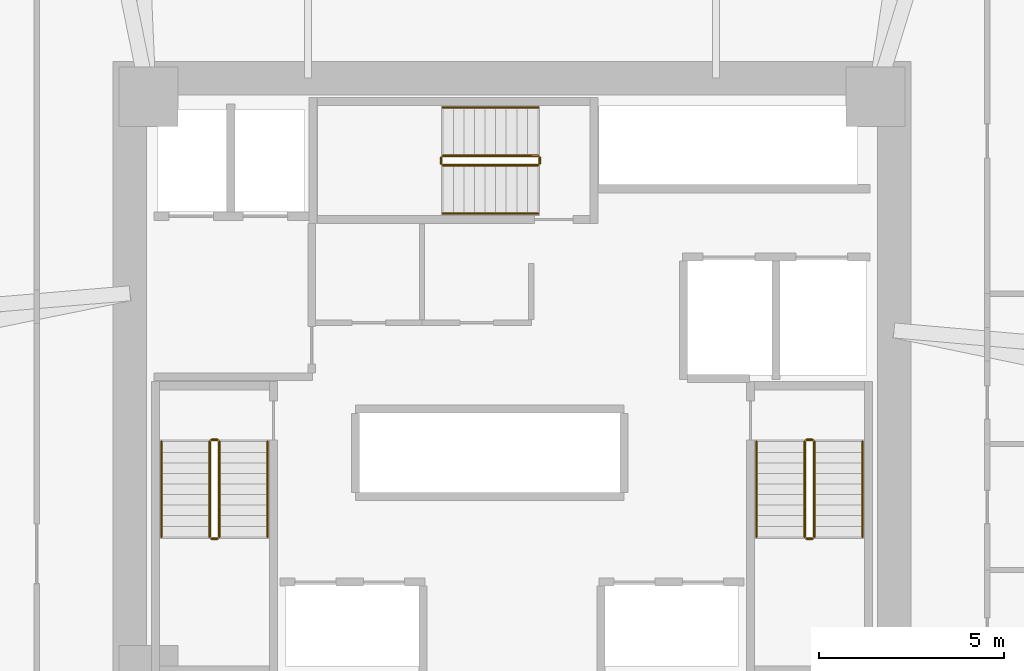
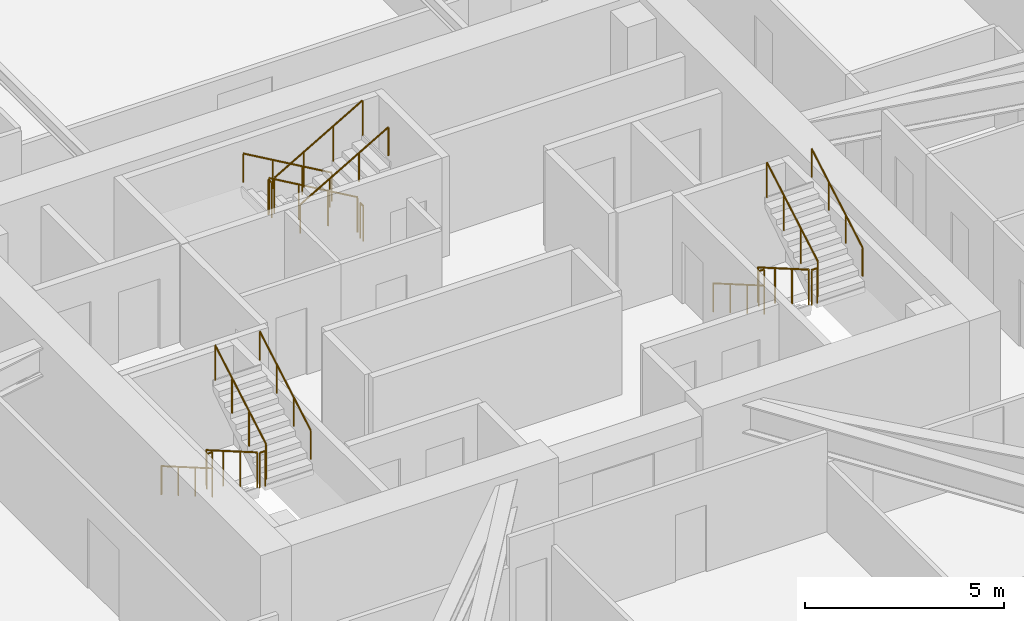
# One storey, part 15 of 15: 18 railings.
"""IFC4 building model written with IfcOpenShell, lengths in metres."""

from ifc_helpers import new_model, si_unit, direction, frame, origin, origin_2d, place, context, subcontext, project, spatial, circle, extrude, material, type_object, element, save


model = new_model("IFC4")

# Units and contexts
model_context = context("Model", 3, precision=1e-05, world=origin(), true_north=direction((0.0, 1.0)))
body_context = subcontext(model_context, "Body", "Model", "MODEL_VIEW")
ifc_project = project(units=[si_unit("LENGTHUNIT", "METRE"), si_unit("AREAUNIT", "SQUARE_METRE"), si_unit("VOLUMEUNIT", "CUBIC_METRE"), si_unit("PLANEANGLEUNIT", "RADIAN"), si_unit("MASSUNIT", "GRAM", prefix="KILO")], contexts=[model_context])

# Site, building, storey
site_placement = place(None, origin())
site = spatial("IfcSite", under=ifc_project, at=site_placement, CompositionType="ELEMENT")
building_placement = place(site_placement, origin())
building = spatial("IfcBuilding", under=site, at=building_placement, Name="Durnholm Broadcast Tower", CompositionType="ELEMENT")
storey_placement = place(building_placement, frame((0.0, 0.0, 62.10009765625)))
storey = spatial("IfcBuildingStorey", under=building, at=storey_placement, Name="L15", CompositionType="ELEMENT", Elevation=62.10009765625)

# Railings
ifc_material_1 = material(Name="Painted Tubular Steel Stair Guardrail", Category="steel")
railing_type_1 = type_object("IfcRailingType", Name="RAIL-ST-GRD", PredefinedType="GUARDRAIL", material=ifc_material_1)
railing_1_placement = place(storey_placement, frame((-8.14990234375, -1.5, 0.164794921875)))
element("IfcRailing", 1, at=railing_1_placement, inside=storey, type_object=railing_type_1, Name="L15 ST-1 stair guard 1", PredefinedType="GUARDRAIL", context=body_context, shape_type="SweptSolid", body=[
    extrude(circle(Radius=0.02392578125, at=origin_2d()), frame((0.0, 0.0, 1.076171875), z_axis=(0.0, -0.865405606168, 0.501071987656), x_axis=(1.0, 0.0, 0.0)), (0.0, 0.0, 1.0), 2.9638671875),
    extrude(circle(Radius=0.02099609375, at=origin_2d()), origin(), (0.0, 0.0, 1.0), 1.052001953125),
    extrude(circle(Radius=0.02099609375, at=origin_2d()), frame((0.0, -0.85498046875, 0.4951171875)), (0.0, 0.0, 1.0), 1.052001953125),
    extrude(circle(Radius=0.02099609375, at=origin_2d()), frame((0.0, -1.7099609375, 0.989990234375)), (0.0, 0.0, 1.0), 1.052001953125),
    extrude(circle(Radius=0.02099609375, at=origin_2d()), frame((0.0, -2.56494140625, 1.485107421875)), (0.0, 0.0, 1.0), 1.052001953125),
])
railing_2_placement = place(storey_placement, frame((-8.10009765625, -4.114990234375, 1.64990234375)))
element("IfcRailing", 2, at=railing_2_placement, inside=storey, type_object=railing_type_1, Name="L15 ST-1 stair guard 2", PredefinedType="GUARDRAIL", context=body_context, shape_type="SweptSolid", body=[
    extrude(circle(Radius=0.02392578125, at=origin_2d()), frame((0.0, 0.0, 1.076171875), z_axis=(1.0, 0.0, 0.0), x_axis=(0.0, 1.0, 0.0)), (0.0, 0.0, 1.0), 0.16015625),
    extrude(circle(Radius=0.02099609375, at=origin_2d()), origin(), (0.0, 0.0, 1.0), 1.052001953125),
    extrude(circle(Radius=0.02099609375, at=origin_2d()), frame((0.16015625, 0.0, 0.0)), (0.0, 0.0, 1.0), 1.052001953125),
])
railing_3_placement = place(storey_placement, frame((-7.889892578125, -4.06494140625, 1.81494140625)))
element("IfcRailing", 3, at=railing_3_placement, inside=storey, type_object=railing_type_1, Name="L15 ST-1 stair guard 3", PredefinedType="GUARDRAIL", context=body_context, shape_type="SweptSolid", body=[
    extrude(circle(Radius=0.02392578125, at=origin_2d()), frame((0.0, 0.0, 1.076171875), z_axis=(0.0, 0.865441324677, 0.50101029285), x_axis=(-1.0, 0.0, 0.0)), (0.0, 0.0, 1.0), 2.963623046875),
    extrude(circle(Radius=0.02099609375, at=origin_2d()), origin(), (0.0, 0.0, 1.0), 1.052001953125),
    extrude(circle(Radius=0.02099609375, at=origin_2d()), frame((0.0, 0.85498046875, 0.494873046875)), (0.0, 0.0, 1.0), 1.052001953125),
    extrude(circle(Radius=0.02099609375, at=origin_2d()), frame((0.0, 1.7099609375, 0.989990234375)), (0.0, 0.0, 1.0), 1.052001953125),
    extrude(circle(Radius=0.02099609375, at=origin_2d()), frame((0.0, 2.56494140625, 1.48486328125)), (0.0, 0.0, 1.0), 1.052001953125),
])
railing_4_placement = place(storey_placement, frame((-8.10009765625, -1.449951171875, 0.0)))
element("IfcRailing", 4, at=railing_4_placement, inside=storey, type_object=railing_type_1, Name="L15 ST-1 stair guard 4", PredefinedType="GUARDRAIL", context=body_context, shape_type="SweptSolid", body=[
    extrude(circle(Radius=0.02392578125, at=origin_2d()), frame((0.0, 0.0, 1.076171875), z_axis=(1.0, 0.0, 0.0), x_axis=(0.0, 1.0, 0.0)), (0.0, 0.0, 1.0), 0.16015625),
    extrude(circle(Radius=0.02099609375, at=origin_2d()), origin(), (0.0, 0.0, 1.0), 1.052001953125),
    extrude(circle(Radius=0.02099609375, at=origin_2d()), frame((0.16015625, 0.0, 0.0)), (0.0, 0.0, 1.0), 1.052001953125),
])
railing_5_placement = place(storey_placement, frame((7.889892578125, -1.5, 0.164794921875)))
element("IfcRailing", 5, at=railing_5_placement, inside=storey, type_object=railing_type_1, Name="L15 ST-2 stair guard 1", PredefinedType="GUARDRAIL", context=body_context, shape_type="SweptSolid", body=[
    extrude(circle(Radius=0.02392578125, at=origin_2d()), frame((0.0, 0.0, 1.076171875), z_axis=(0.0, -0.865405606168, 0.501071987656), x_axis=(1.0, 0.0, 0.0)), (0.0, 0.0, 1.0), 2.9638671875),
    extrude(circle(Radius=0.02099609375, at=origin_2d()), origin(), (0.0, 0.0, 1.0), 1.052001953125),
    extrude(circle(Radius=0.02099609375, at=origin_2d()), frame((0.0, -0.85498046875, 0.4951171875)), (0.0, 0.0, 1.0), 1.052001953125),
    extrude(circle(Radius=0.02099609375, at=origin_2d()), frame((0.0, -1.7099609375, 0.989990234375)), (0.0, 0.0, 1.0), 1.052001953125),
    extrude(circle(Radius=0.02099609375, at=origin_2d()), frame((0.0, -2.56494140625, 1.485107421875)), (0.0, 0.0, 1.0), 1.052001953125),
])
railing_6_placement = place(storey_placement, frame((7.93994140625, -4.114990234375, 1.64990234375)))
element("IfcRailing", 6, at=railing_6_placement, inside=storey, type_object=railing_type_1, Name="L15 ST-2 stair guard 2", PredefinedType="GUARDRAIL", context=body_context, shape_type="SweptSolid", body=[
    extrude(circle(Radius=0.02392578125, at=origin_2d()), frame((0.0, 0.0, 1.076171875), z_axis=(1.0, 0.0, 0.0), x_axis=(0.0, 1.0, 0.0)), (0.0, 0.0, 1.0), 0.16015625),
    extrude(circle(Radius=0.02099609375, at=origin_2d()), origin(), (0.0, 0.0, 1.0), 1.052001953125),
    extrude(circle(Radius=0.02099609375, at=origin_2d()), frame((0.16015625, 0.0, 0.0)), (0.0, 0.0, 1.0), 1.052001953125),
])
railing_7_placement = place(storey_placement, frame((8.14990234375, -4.06494140625, 1.81494140625)))
element("IfcRailing", 7, at=railing_7_placement, inside=storey, type_object=railing_type_1, Name="L15 ST-2 stair guard 3", PredefinedType="GUARDRAIL", context=body_context, shape_type="SweptSolid", body=[
    extrude(circle(Radius=0.02392578125, at=origin_2d()), frame((0.0, 0.0, 1.076171875), z_axis=(0.0, 0.865441324677, 0.50101029285), x_axis=(-1.0, 0.0, 0.0)), (0.0, 0.0, 1.0), 2.963623046875),
    extrude(circle(Radius=0.02099609375, at=origin_2d()), origin(), (0.0, 0.0, 1.0), 1.052001953125),
    extrude(circle(Radius=0.02099609375, at=origin_2d()), frame((0.0, 0.85498046875, 0.494873046875)), (0.0, 0.0, 1.0), 1.052001953125),
    extrude(circle(Radius=0.02099609375, at=origin_2d()), frame((0.0, 1.7099609375, 0.989990234375)), (0.0, 0.0, 1.0), 1.052001953125),
    extrude(circle(Radius=0.02099609375, at=origin_2d()), frame((0.0, 2.56494140625, 1.48486328125)), (0.0, 0.0, 1.0), 1.052001953125),
])
railing_8_placement = place(storey_placement, frame((7.93994140625, -1.449951171875, 0.0)))
element("IfcRailing", 8, at=railing_8_placement, inside=storey, type_object=railing_type_1, Name="L15 ST-2 stair guard 4", PredefinedType="GUARDRAIL", context=body_context, shape_type="SweptSolid", body=[
    extrude(circle(Radius=0.02392578125, at=origin_2d()), frame((0.0, 0.0, 1.076171875), z_axis=(1.0, 0.0, 0.0), x_axis=(0.0, 1.0, 0.0)), (0.0, 0.0, 1.0), 0.16015625),
    extrude(circle(Radius=0.02099609375, at=origin_2d()), origin(), (0.0, 0.0, 1.0), 1.052001953125),
    extrude(circle(Radius=0.02099609375, at=origin_2d()), frame((0.16015625, 0.0, 0.0)), (0.0, 0.0, 1.0), 1.052001953125),
])
railing_9_placement = place(storey_placement, frame((0.699951171875, 6.2099609375, 0.164794921875)))
element("IfcRailing", 9, at=railing_9_placement, inside=storey, type_object=railing_type_1, Name="L15 ST-3 stair guard 1", PredefinedType="GUARDRAIL", context=body_context, shape_type="SweptSolid", body=[
    extrude(circle(Radius=0.02392578125, at=origin_2d()), frame((0.0, 0.0, 1.076171875), z_axis=(-0.865405606168, 0.0, 0.501071987656), x_axis=(0.0, -1.0, 0.0)), (0.0, 0.0, 1.0), 2.9638671875),
    extrude(circle(Radius=0.02099609375, at=origin_2d()), origin(), (0.0, 0.0, 1.0), 1.052001953125),
    extrude(circle(Radius=0.02099609375, at=origin_2d()), frame((-0.85498046875, 0.0, 0.4951171875)), (0.0, 0.0, 1.0), 1.052001953125),
    extrude(circle(Radius=0.02099609375, at=origin_2d()), frame((-1.7099609375, 0.0, 0.989990234375)), (0.0, 0.0, 1.0), 1.052001953125),
    extrude(circle(Radius=0.02099609375, at=origin_2d()), frame((-2.56494140625, 0.0, 1.485107421875)), (0.0, 0.0, 1.0), 1.052001953125),
])
railing_10_placement = place(storey_placement, frame((-1.9150390625, 6.159912109375, 1.64990234375)))
element("IfcRailing", 10, at=railing_10_placement, inside=storey, type_object=railing_type_1, Name="L15 ST-3 stair guard 2", PredefinedType="GUARDRAIL", context=body_context, shape_type="SweptSolid", body=[
    extrude(circle(Radius=0.02392578125, at=origin_2d()), frame((0.0, 0.0, 1.076171875), z_axis=(0.0, -1.0, 0.0), x_axis=(1.0, 0.0, 0.0)), (0.0, 0.0, 1.0), 0.159912109375),
    extrude(circle(Radius=0.02099609375, at=origin_2d()), origin(), (0.0, 0.0, 1.0), 1.052001953125),
    extrude(circle(Radius=0.02099609375, at=origin_2d()), frame((0.0, -0.159912109375, 0.0)), (0.0, 0.0, 1.0), 1.052001953125),
])
railing_11_placement = place(storey_placement, frame((-1.864990234375, 5.949951171875, 1.81494140625)))
element("IfcRailing", 11, at=railing_11_placement, inside=storey, type_object=railing_type_1, Name="L15 ST-3 stair guard 3", PredefinedType="GUARDRAIL", context=body_context, shape_type="SweptSolid", body=[
    extrude(circle(Radius=0.02392578125, at=origin_2d()), frame((0.0, 0.0, 1.076171875), z_axis=(0.865441324677, 0.0, 0.50101029285), x_axis=(0.0, 1.0, 0.0)), (0.0, 0.0, 1.0), 2.963623046875),
    extrude(circle(Radius=0.02099609375, at=origin_2d()), origin(), (0.0, 0.0, 1.0), 1.052001953125),
    extrude(circle(Radius=0.02099609375, at=origin_2d()), frame((0.85498046875, 0.0, 0.494873046875)), (0.0, 0.0, 1.0), 1.052001953125),
    extrude(circle(Radius=0.02099609375, at=origin_2d()), frame((1.7099609375, 0.0, 0.989990234375)), (0.0, 0.0, 1.0), 1.052001953125),
    extrude(circle(Radius=0.02099609375, at=origin_2d()), frame((2.56494140625, 0.0, 1.48486328125)), (0.0, 0.0, 1.0), 1.052001953125),
])
railing_12_placement = place(storey_placement, frame((0.75, 6.159912109375, 0.0)))
element("IfcRailing", 12, at=railing_12_placement, inside=storey, type_object=railing_type_1, Name="L15 ST-3 stair guard 4", PredefinedType="GUARDRAIL", context=body_context, shape_type="SweptSolid", body=[
    extrude(circle(Radius=0.02392578125, at=origin_2d()), frame((0.0, 0.0, 1.076171875), z_axis=(0.0, -1.0, 0.0), x_axis=(1.0, 0.0, 0.0)), (0.0, 0.0, 1.0), 0.159912109375),
    extrude(circle(Radius=0.02099609375, at=origin_2d()), origin(), (0.0, 0.0, 1.0), 1.052001953125),
    extrude(circle(Radius=0.02099609375, at=origin_2d()), frame((0.0, -0.159912109375, 0.0)), (0.0, 0.0, 1.0), 1.052001953125),
])
ifc_material_2 = material(Name="Brushed Stainless Steel Handrail", Category="steel")
railing_type_2 = type_object("IfcRailingType", Name="RAIL-ST-HND", PredefinedType="HANDRAIL", material=ifc_material_2)
railing_13_placement = place(storey_placement, frame((-9.449951171875, -1.5, 0.329833984375)))
element("IfcRailing", 13, at=railing_13_placement, inside=storey, type_object=railing_type_2, Name="L15 ST-1 stair handrail 1", PredefinedType="HANDRAIL", context=body_context, shape_type="SweptSolid", body=[
    extrude(circle(Radius=0.02392578125, at=origin_2d()), frame((0.0, 0.0, 0.8759765625), z_axis=(0.0, -0.865405606168, 0.501071987656), x_axis=(1.0, 0.0, 0.0)), (0.0, 0.0, 1.0), 2.9638671875),
    extrude(circle(Radius=0.02099609375, at=origin_2d()), origin(), (0.0, 0.0, 1.0), 0.851806640625),
    extrude(circle(Radius=0.02099609375, at=origin_2d()), frame((0.0, -0.85498046875, 0.4951171875)), (0.0, 0.0, 1.0), 0.851806640625),
    extrude(circle(Radius=0.02099609375, at=origin_2d()), frame((0.0, -1.7099609375, 0.989990234375)), (0.0, 0.0, 1.0), 0.851806640625),
    extrude(circle(Radius=0.02099609375, at=origin_2d()), frame((0.0, -2.56494140625, 1.485107421875)), (0.0, 0.0, 1.0), 0.851806640625),
])
railing_14_placement = place(storey_placement, frame((-6.590087890625, -4.06494140625, 1.97998046875)))
element("IfcRailing", 14, at=railing_14_placement, inside=storey, type_object=railing_type_2, Name="L15 ST-1 stair handrail 2", PredefinedType="HANDRAIL", context=body_context, shape_type="SweptSolid", body=[
    extrude(circle(Radius=0.02392578125, at=origin_2d()), frame((0.0, 0.0, 0.8759765625), z_axis=(0.0, 0.865441324677, 0.50101029285), x_axis=(-1.0, 0.0, 0.0)), (0.0, 0.0, 1.0), 2.963623046875),
    extrude(circle(Radius=0.02099609375, at=origin_2d()), origin(), (0.0, 0.0, 1.0), 0.851806640625),
    extrude(circle(Radius=0.02099609375, at=origin_2d()), frame((0.0, 0.85498046875, 0.494873046875)), (0.0, 0.0, 1.0), 0.851806640625),
    extrude(circle(Radius=0.02099609375, at=origin_2d()), frame((0.0, 1.7099609375, 0.989990234375)), (0.0, 0.0, 1.0), 0.851806640625),
    extrude(circle(Radius=0.02099609375, at=origin_2d()), frame((0.0, 2.56494140625, 1.48486328125)), (0.0, 0.0, 1.0), 0.851806640625),
])
railing_15_placement = place(storey_placement, frame((6.590087890625, -1.5, 0.329833984375)))
element("IfcRailing", 15, at=railing_15_placement, inside=storey, type_object=railing_type_2, Name="L15 ST-2 stair handrail 1", PredefinedType="HANDRAIL", context=body_context, shape_type="SweptSolid", body=[
    extrude(circle(Radius=0.02392578125, at=origin_2d()), frame((0.0, 0.0, 0.8759765625), z_axis=(0.0, -0.865405606168, 0.501071987656), x_axis=(1.0, 0.0, 0.0)), (0.0, 0.0, 1.0), 2.9638671875),
    extrude(circle(Radius=0.02099609375, at=origin_2d()), origin(), (0.0, 0.0, 1.0), 0.851806640625),
    extrude(circle(Radius=0.02099609375, at=origin_2d()), frame((0.0, -0.85498046875, 0.4951171875)), (0.0, 0.0, 1.0), 0.851806640625),
    extrude(circle(Radius=0.02099609375, at=origin_2d()), frame((0.0, -1.7099609375, 0.989990234375)), (0.0, 0.0, 1.0), 0.851806640625),
    extrude(circle(Radius=0.02099609375, at=origin_2d()), frame((0.0, -2.56494140625, 1.485107421875)), (0.0, 0.0, 1.0), 0.851806640625),
])
railing_16_placement = place(storey_placement, frame((9.449951171875, -4.06494140625, 1.97998046875)))
element("IfcRailing", 16, at=railing_16_placement, inside=storey, type_object=railing_type_2, Name="L15 ST-2 stair handrail 2", PredefinedType="HANDRAIL", context=body_context, shape_type="SweptSolid", body=[
    extrude(circle(Radius=0.02392578125, at=origin_2d()), frame((0.0, 0.0, 0.8759765625), z_axis=(0.0, 0.865441324677, 0.50101029285), x_axis=(-1.0, 0.0, 0.0)), (0.0, 0.0, 1.0), 2.963623046875),
    extrude(circle(Radius=0.02099609375, at=origin_2d()), origin(), (0.0, 0.0, 1.0), 0.851806640625),
    extrude(circle(Radius=0.02099609375, at=origin_2d()), frame((0.0, 0.85498046875, 0.494873046875)), (0.0, 0.0, 1.0), 0.851806640625),
    extrude(circle(Radius=0.02099609375, at=origin_2d()), frame((0.0, 1.7099609375, 0.989990234375)), (0.0, 0.0, 1.0), 0.851806640625),
    extrude(circle(Radius=0.02099609375, at=origin_2d()), frame((0.0, 2.56494140625, 1.48486328125)), (0.0, 0.0, 1.0), 0.851806640625),
])
railing_17_placement = place(storey_placement, frame((0.699951171875, 7.510009765625, 0.329833984375)))
element("IfcRailing", 17, at=railing_17_placement, inside=storey, type_object=railing_type_2, Name="L15 ST-3 stair handrail 1", PredefinedType="HANDRAIL", context=body_context, shape_type="SweptSolid", body=[
    extrude(circle(Radius=0.02392578125, at=origin_2d()), frame((0.0, 0.0, 0.8759765625), z_axis=(-0.865405606168, 0.0, 0.501071987656), x_axis=(0.0, -1.0, 0.0)), (0.0, 0.0, 1.0), 2.9638671875),
    extrude(circle(Radius=0.02099609375, at=origin_2d()), origin(), (0.0, 0.0, 1.0), 0.851806640625),
    extrude(circle(Radius=0.02099609375, at=origin_2d()), frame((-0.85498046875, 0.0, 0.4951171875)), (0.0, 0.0, 1.0), 0.851806640625),
    extrude(circle(Radius=0.02099609375, at=origin_2d()), frame((-1.7099609375, 0.0, 0.989990234375)), (0.0, 0.0, 1.0), 0.851806640625),
    extrude(circle(Radius=0.02099609375, at=origin_2d()), frame((-2.56494140625, 0.0, 1.485107421875)), (0.0, 0.0, 1.0), 0.851806640625),
])
railing_18_placement = place(storey_placement, frame((-1.864990234375, 4.64990234375, 1.97998046875)))
element("IfcRailing", 18, at=railing_18_placement, inside=storey, type_object=railing_type_2, Name="L15 ST-3 stair handrail 2", PredefinedType="HANDRAIL", context=body_context, shape_type="SweptSolid", body=[
    extrude(circle(Radius=0.02392578125, at=origin_2d()), frame((0.0, 0.0, 0.8759765625), z_axis=(0.865441324677, 0.0, 0.50101029285), x_axis=(0.0, 1.0, 0.0)), (0.0, 0.0, 1.0), 2.963623046875),
    extrude(circle(Radius=0.02099609375, at=origin_2d()), origin(), (0.0, 0.0, 1.0), 0.851806640625),
    extrude(circle(Radius=0.02099609375, at=origin_2d()), frame((0.85498046875, 0.0, 0.494873046875)), (0.0, 0.0, 1.0), 0.851806640625),
    extrude(circle(Radius=0.02099609375, at=origin_2d()), frame((1.7099609375, 0.0, 0.989990234375)), (0.0, 0.0, 1.0), 0.851806640625),
    extrude(circle(Radius=0.02099609375, at=origin_2d()), frame((2.56494140625, 0.0, 1.48486328125)), (0.0, 0.0, 1.0), 0.851806640625),
])

save(model, "model.ifc")
